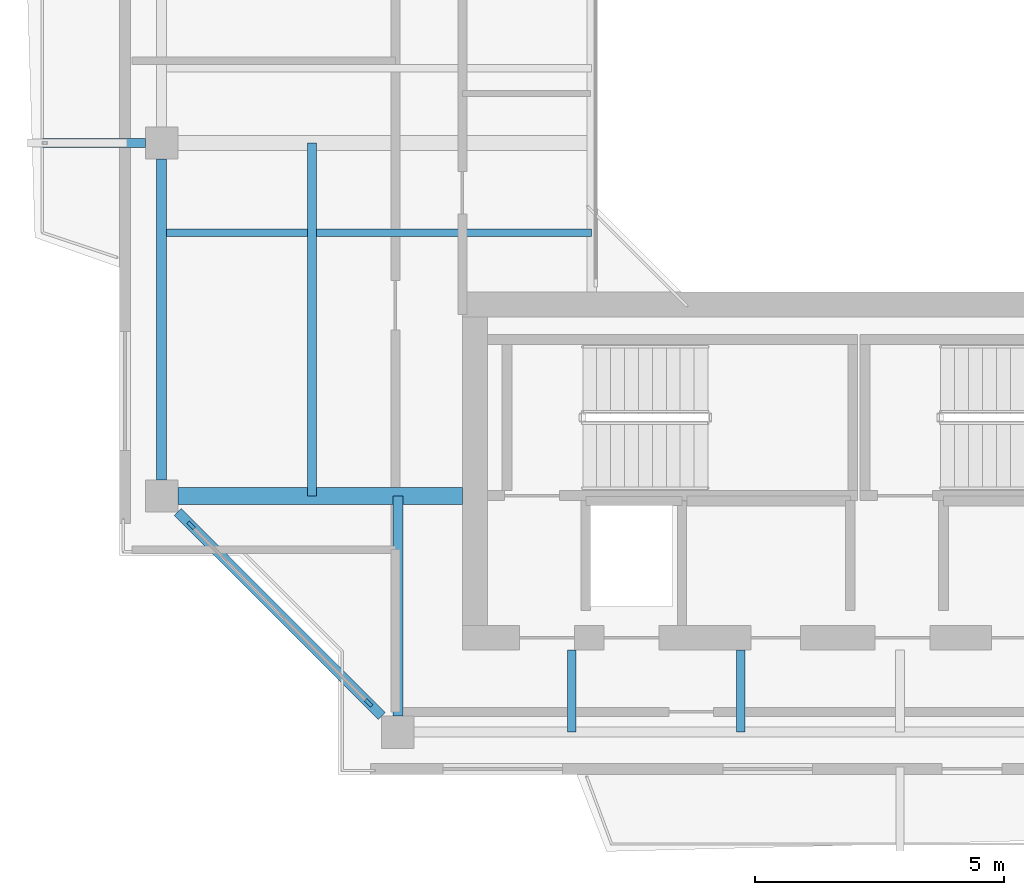
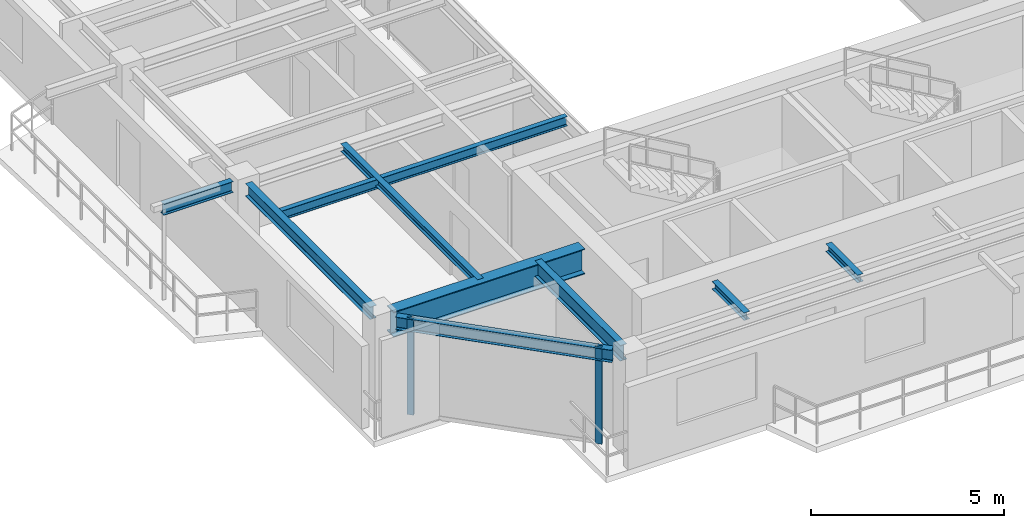
# One storey, part 2 of 14: 9 beams, 2 members, 1 element without a shape of its own.
"""IFC4 building model written with IfcOpenShell, lengths in metres."""

import ifcopenshell
import ifcopenshell.guid

model = None  # the IFC model being written
_history = None  # IfcOwnerHistory: only IFC2X3 demands one
_inside = {}  # id of a spatial element -> (the spatial element, [elements in it])
_under = {}  # id of a project, library or spatial element -> (it, [spatial elements below it])
_declared = {}  # id of a project -> (the project, [libraries it declares])
_typed = {}  # id of a type object -> (the type object, [elements of that type])
_made_of = {}  # id of a material, layer set ... -> (it, [elements and type objects made of it])


def new_model(schema):
    """Start an empty IFC model of exactly this schema.

    Asked for "IFC4X3", IfcOpenShell would pick the latest addendum, in which some entities
    have other attributes; the version numbers below select the first issue.
    IFC2X3 requires an IfcOwnerHistory on every rooted entity: one is made here for all.
    """
    global model, _history
    if schema == "IFC4X3":
        model = ifcopenshell.file(schema_version=(4, 3, 0, 0))
    else:
        model = ifcopenshell.file(schema=schema)
    _inside.clear()
    _under.clear()
    _declared.clear()
    _typed.clear()
    _made_of.clear()
    _history = None
    if model.schema == "IFC2X3":
        org = make("IfcOrganization", Name="unknown")
        user = make(
            "IfcPersonAndOrganization",
            ThePerson=make("IfcPerson", FamilyName="unknown"),
            TheOrganization=org,
        )
        app = make(
            "IfcApplication",
            ApplicationDeveloper=org,
            Version="unknown",
            ApplicationFullName="unknown",
            ApplicationIdentifier="unknown",
        )
        _history = make(
            "IfcOwnerHistory",
            OwningUser=user,
            OwningApplication=app,
            ChangeAction="ADDED",
            CreationDate=0,
        )
    return model


def make(cls, **values):
    """One entity of the class cls with the attributes given. An attribute that is None is left unset."""
    return model.create_entity(
        cls, **{name: value for name, value in values.items() if value is not None}
    )


def rooted(cls, **values):
    """An entity with a GlobalId (a new one), such as an element, a storey or a relation."""
    return make(cls, GlobalId=ifcopenshell.guid.new(), OwnerHistory=_history, **values)


def si_unit(unit_type, name, prefix=None):
    """IfcSIUnit, for example si_unit("LENGTHUNIT", "METRE", prefix="MILLI")."""
    return make("IfcSIUnit", UnitType=unit_type, Prefix=prefix, Name=name)


def assignment(units):
    """IfcUnitAssignment: the units of a project."""
    return None if units is None else make("IfcUnitAssignment", Units=units)


def point(xyz):
    """IfcCartesianPoint."""
    return None if xyz is None else make("IfcCartesianPoint", Coordinates=xyz)


def direction(xyz):
    """IfcDirection."""
    return None if xyz is None else make("IfcDirection", DirectionRatios=xyz)


def frame(location, z_axis=None, x_axis=None):
    """IfcAxis2Placement3D, a coordinate frame: its origin and axes. An axis left out is left unset."""
    return make(
        "IfcAxis2Placement3D",
        Location=point(location),
        Axis=direction(z_axis),
        RefDirection=direction(x_axis),
    )


def frame_2d(location, x_axis=None):
    """IfcAxis2Placement2D, a coordinate frame in the plane: its origin and x axis."""
    return make(
        "IfcAxis2Placement2D", Location=point(location), RefDirection=direction(x_axis)
    )


def origin():
    """The frame at (0, 0, 0) with its axes left unset."""
    return frame((0.0, 0.0, 0.0))


def origin_2d():
    """The frame at (0, 0) in the plane with its x axis left unset."""
    return frame_2d((0.0, 0.0))


def place(relative_to, where):
    """IfcLocalPlacement: puts the frame where relative to a parent placement (None: the world)."""
    return make(
        "IfcLocalPlacement", PlacementRelTo=relative_to, RelativePlacement=where
    )


def context(
    kind, dimensions, precision=None, world=None, true_north=None, identifier=None
):
    """IfcGeometricRepresentationContext, for example the 3D "Model" context."""
    return make(
        "IfcGeometricRepresentationContext",
        ContextIdentifier=identifier,
        ContextType=kind,
        CoordinateSpaceDimension=dimensions,
        Precision=precision,
        WorldCoordinateSystem=world,
        TrueNorth=true_north,
    )


def subcontext(parent, identifier, kind, view, scale=None):
    """IfcGeometricRepresentationSubContext, for example "Body" below "Model"."""
    return make(
        "IfcGeometricRepresentationSubContext",
        ContextIdentifier=identifier,
        ContextType=kind,
        ParentContext=parent,
        TargetScale=scale,
        TargetView=view,
    )


def project(units=None, contexts=None):
    """IfcProject with its units and contexts."""
    return rooted(
        "IfcProject",
        Name="project",
        RepresentationContexts=contexts,
        UnitsInContext=assignment(units),
    )


def spatial(cls, under=None, at=None, **own):
    """A site, building, storey or space (cls), placed at a placement, below another one or the project."""
    s = rooted(cls, ObjectPlacement=at, **own)
    if under is not None:
        _under.setdefault(under.id(), (under, []))[1].append(s)
    return s


def profile(cls, at=None, kind="AREA", **sizes):
    """A parametric profile (cls). Its sizes go by their IFC names, for example OverallWidth=200.0."""
    return make(cls, ProfileType=kind, Position=at, **sizes)


def rectangle(**sizes):
    """IfcRectangleProfileDef."""
    return profile("IfcRectangleProfileDef", **sizes)


def i_section(**sizes):
    """IfcIShapeProfileDef."""
    return profile("IfcIShapeProfileDef", **sizes)


def extrude(swept, where, along, depth):
    """IfcExtrudedAreaSolid: the profile swept, set in the frame where, extruded along a direction by depth."""
    return make(
        "IfcExtrudedAreaSolid",
        SweptArea=swept,
        Position=where,
        ExtrudedDirection=direction(along),
        Depth=depth,
    )


def shape(context_of_items, identifier, shape_type, items):
    """IfcShapeRepresentation: the items that make up one representation, for example the "Body"."""
    return make(
        "IfcShapeRepresentation",
        ContextOfItems=context_of_items,
        RepresentationIdentifier=identifier,
        RepresentationType=shape_type,
        Items=items,
    )


def source(mapping_origin, context_of_items, identifier, shape_type, items):
    """IfcRepresentationMap: a shape defined once, which mapped items show again and again."""
    return make(
        "IfcRepresentationMap",
        MappingOrigin=mapping_origin,
        MappedRepresentation=shape(context_of_items, identifier, shape_type, items),
    )


def transform(
    local_origin,
    x_axis=None,
    y_axis=None,
    z_axis=None,
    scale=None,
    scale2=None,
    scale3=None,
    uniform=True,
):
    """IfcCartesianTransformationOperator3D, or its non-uniform kind. x_axis, y_axis, z_axis: its Axis1, 2, 3."""
    if uniform:
        return make(
            "IfcCartesianTransformationOperator3D",
            Axis1=direction(x_axis),
            Axis2=direction(y_axis),
            LocalOrigin=point(local_origin),
            Scale=scale,
            Axis3=direction(z_axis),
        )
    return make(
        "IfcCartesianTransformationOperator3DnonUniform",
        Axis1=direction(x_axis),
        Axis2=direction(y_axis),
        LocalOrigin=point(local_origin),
        Scale=scale,
        Axis3=direction(z_axis),
        Scale2=scale2,
        Scale3=scale3,
    )


def mapped(mapping_source, mapping_target):
    """IfcMappedItem: shows the shape of a source again, moved by a transform."""
    return make(
        "IfcMappedItem", MappingSource=mapping_source, MappingTarget=mapping_target
    )


def material(Name=None, Category=None):
    """IfcMaterial."""
    return make("IfcMaterial", Name=Name, Category=Category)


def layer(
    of_material, thickness, ventilated=None, Name=None, Category=None, Priority=None
):
    """IfcMaterialLayer: one layer of a wall or slab, of a material (None: an air gap)."""
    return make(
        "IfcMaterialLayer",
        Material=of_material,
        LayerThickness=thickness,
        IsVentilated=ventilated,
        Name=Name,
        Category=Category,
        Priority=Priority,
    )


def layer_set(layers, Name=None):
    """IfcMaterialLayerSet."""
    return make("IfcMaterialLayerSet", MaterialLayers=layers, LayerSetName=Name)


def material_profile(
    of_material, cross_section, Name=None, Category=None, Priority=None
):
    """IfcMaterialProfile: a cross section and its material."""
    return make(
        "IfcMaterialProfile",
        Name=Name,
        Material=of_material,
        Profile=cross_section,
        Priority=Priority,
        Category=Category,
    )


def profile_set(profiles, Name=None, composite=None):
    """IfcMaterialProfileSet."""
    return make(
        "IfcMaterialProfileSet",
        Name=Name,
        MaterialProfiles=profiles,
        CompositeProfile=composite,
    )


def made_of(thing, what):
    """Note that an element or type object is made of a material, layer set ...; save() writes the relation."""
    if what is not None:
        _made_of.setdefault(what.id(), (what, []))[1].append(thing)
    return thing


def type_object(cls, material=None, **own):
    """A type object (cls), such as IfcWallType, which elements share."""
    return made_of(rooted(cls, **own), material)


def element(
    cls,
    number,
    at=None,
    inside=None,
    cuts=None,
    type_object=None,
    material=None,
    context=None,
    identifier="Body",
    shape_type=None,
    held_by="IfcProductDefinitionShape",
    body=None,
    shapes=None,
    **own,
):
    """One element of the class cls, such as IfcWall. Its Tag is "e" and its number.

    at: its placement. inside: the storey or other place that contains it. cuts: it is an
    opening in that element (IfcRelVoidsElement). A single representation is given by context,
    identifier, shape_type and body (its items); several are given by shapes. held_by: the class
    of the entity that holds the representations. save() writes the other relations.
    """
    e = rooted(cls, Tag="e%d" % number, ObjectPlacement=at, **own)
    if body is not None:
        shapes = [shape(context, identifier, shape_type, body)]
    if shapes is not None:
        e.Representation = make(held_by, Representations=shapes)
    if inside is not None:
        _inside.setdefault(inside.id(), (inside, []))[1].append(e)
    if cuts is not None:
        rooted(
            "IfcRelVoidsElement", RelatingBuildingElement=cuts, RelatedOpeningElement=e
        )
    if type_object is not None:
        _typed.setdefault(type_object.id(), (type_object, []))[1].append(e)
    return made_of(e, material)


def aggregate(whole, parts):
    """IfcRelAggregates: a whole, such as a stair, and the parts it consists of."""
    return rooted("IfcRelAggregates", RelatingObject=whole, RelatedObjects=parts)


def save(model, path):
    """Write the relations noted so far, then the file.

    IfcRelAggregates (storeys below a building ...), IfcRelContainedInSpatialStructure (elements
    in a storey), IfcRelDefinesByType, IfcRelAssociatesMaterial and IfcRelDeclares: one each for
    every whole, place, type object, material and project.
    """
    for whole, parts in _under.values():
        aggregate(whole, parts)
    for where, things in _inside.values():
        rooted(
            "IfcRelContainedInSpatialStructure",
            RelatedElements=things,
            RelatingStructure=where,
        )
    for kind, things in _typed.values():
        rooted("IfcRelDefinesByType", RelatedObjects=things, RelatingType=kind)
    for what, things in _made_of.values():
        rooted("IfcRelAssociatesMaterial", RelatedObjects=things, RelatingMaterial=what)
    for by, libraries in _declared.values():
        rooted("IfcRelDeclares", RelatingContext=by, RelatedDefinitions=libraries)
    model.write(path)


model = new_model("IFC4")

# Units and contexts
model_context = context("Model", 3, precision=1e-05, world=origin(), true_north=direction((0.0, 1.0)))
body_context = subcontext(model_context, "Body", "Model", "MODEL_VIEW")
ifc_project = project(units=[si_unit("LENGTHUNIT", "METRE"), si_unit("AREAUNIT", "SQUARE_METRE"), si_unit("VOLUMEUNIT", "CUBIC_METRE"), si_unit("PLANEANGLEUNIT", "RADIAN"), si_unit("MASSUNIT", "GRAM", prefix="KILO"), si_unit("THERMODYNAMICTEMPERATUREUNIT", "KELVIN"), si_unit("POWERUNIT", "WATT")], contexts=[model_context])

# Site, building, storey
site_placement = place(None, origin())
site = spatial("IfcSite", under=ifc_project, at=site_placement, CompositionType="ELEMENT")
building_placement = place(site_placement, origin())
building = spatial("IfcBuilding", under=site, at=building_placement, Name="Qiaomeng Ring Towers", CompositionType="ELEMENT")
storey_placement = place(building_placement, frame((0.0, 0.0, 240.5)))
storey = spatial("IfcBuildingStorey", under=building, at=storey_placement, Name="L70", CompositionType="ELEMENT", Elevation=240.5)

# Beams
ifc_material_1 = material(Name="Steel Q355B", Category="steel")
ifc_material_profile_1 = material_profile(ifc_material_1, i_section(OverallWidth=0.198974609375, OverallDepth=0.39599609375, WebThickness=0.007080078125, FlangeThickness=0.010986328125, FilletRadius=0.01611328125, at=origin_2d()), Name="HN 396x199x7x11")
ifc_profile_set_1 = profile_set([ifc_material_profile_1], Name="Steel Q355B")
beam_type_1 = type_object("IfcBeamType", Name="STR-BM-HN396", PredefinedType="SPANDREL", material=ifc_profile_set_1)
shared_shape_1 = source(origin(), body_context, "Body", "SweptSolid", [
    extrude(i_section(OverallWidth=0.198974609375, OverallDepth=0.39599609375, WebThickness=0.007080078125, FlangeThickness=0.010986328125, FilletRadius=0.01611328125, at=origin_2d()), origin(), (0.0, 0.0, 1.0), 5.800048828125),
])
beam_1_placement = place(storey_placement, frame((4.474365234375, 12.57568359375, 2.8720703125), z_axis=(0.707106781187, -0.707106781187, 0.0), x_axis=(0.707106781187, 0.707106781187, 0.0)))
element("IfcBeam", 1, at=beam_1_placement, inside=storey, type_object=beam_type_1, Name="L70 beam STR-SP-L70-T1-W1-S1", PredefinedType="SPANDREL", context=body_context, shape_type="MappedRepresentation", body=[
    mapped(shared_shape_1, transform((0.0, 0.0, 0.0), x_axis=(1.0, 0.0, 0.0), y_axis=(0.0, 1.0, 0.0), z_axis=(0.0, 0.0, 1.0), scale=1.0)),
])
shared_shape_2 = source(origin(), body_context, "Body", "SweptSolid", [
    extrude(i_section(OverallWidth=0.198974609375, OverallDepth=0.39599609375, WebThickness=0.007080078125, FlangeThickness=0.010986328125, FilletRadius=0.01611328125, at=origin_2d()), origin(), (0.0, 0.0, 1.0), 6.451904296875),
])
beam_2_placement = place(storey_placement, frame((4.14990234375, 19.676025390625, 2.8720703125), z_axis=(0.0, -1.0, 0.0), x_axis=(1.0, 0.0, 0.0)))
element("IfcBeam", 2, at=beam_2_placement, inside=storey, type_object=beam_type_1, Name="L70 beam STR-SP-L70-T1-W2-W1", PredefinedType="SPANDREL", context=body_context, shape_type="MappedRepresentation", body=[
    mapped(shared_shape_2, transform((0.0, 0.0, 0.0), x_axis=(1.0, 0.0, 0.0), y_axis=(0.0, 1.0, 0.0), z_axis=(0.0, 0.0, 1.0), scale=1.0)),
])
ifc_material_2 = material(Name="Steel Q390GJC", Category="steel")
ifc_material_profile_2 = material_profile(ifc_material_2, i_section(OverallWidth=0.35009765625, OverallDepth=0.800048828125, WebThickness=0.01611328125, FlangeThickness=0.028076171875, at=origin_2d()), Name="WH 800x350x16x28")
ifc_profile_set_2 = profile_set([ifc_material_profile_2], Name="Steel Q390GJC")
beam_type_2 = type_object("IfcBeamType", Name="STR-BM-WH800", PredefinedType="BEAM", material=ifc_profile_set_2)
shared_shape_3 = source(origin(), body_context, "Body", "SweptSolid", [
    extrude(i_section(OverallWidth=0.35009765625, OverallDepth=0.800048828125, WebThickness=0.01611328125, FlangeThickness=0.028076171875, at=origin_2d()), origin(), (0.0, 0.0, 1.0), 5.725830078125),
])
beam_3_placement = place(storey_placement, frame((4.47412109375, 12.89990234375, 2.669921875), z_axis=(1.0, 0.0, 0.0), x_axis=(0.0, 1.0, 0.0)))
element("IfcBeam", 3, at=beam_3_placement, inside=storey, type_object=beam_type_2, Name="L70 beam STR-BM-L70-T1-RAD-W1", PredefinedType="BEAM", context=body_context, shape_type="MappedRepresentation", body=[
    mapped(shared_shape_3, transform((0.0, 0.0, 0.0), x_axis=(1.0, 0.0, 0.0), y_axis=(0.0, 1.0, 0.0), z_axis=(0.0, 0.0, 1.0), scale=1.0)),
])
ifc_material_profile_3 = material_profile(ifc_material_1, i_section(OverallWidth=0.198974609375, OverallDepth=0.49609375, WebThickness=0.009033203125, FlangeThickness=0.013916015625, FilletRadius=0.01806640625, at=origin_2d()), Name="HN 496x199x9x14")
ifc_profile_set_3 = profile_set([ifc_material_profile_3], Name="Steel Q355B")
beam_type_3 = type_object("IfcBeamType", Name="STR-BM-HN496", PredefinedType="BEAM", material=ifc_profile_set_3)
shared_shape_4 = source(origin(), body_context, "Body", "SweptSolid", [
    extrude(i_section(OverallWidth=0.198974609375, OverallDepth=0.49609375, WebThickness=0.009033203125, FlangeThickness=0.013916015625, FilletRadius=0.01806640625, at=origin_2d()), origin(), (0.0, 0.0, 1.0), 4.42578125),
])
beam_4_placement = place(storey_placement, frame((8.89990234375, 8.47412109375, 2.822021484375), z_axis=(0.0, 1.0, 0.0), x_axis=(-1.0, 0.0, 0.0)))
element("IfcBeam", 4, at=beam_4_placement, inside=storey, type_object=beam_type_3, Name="L70 beam STR-BM-L70-T1-RAD-S1", PredefinedType="BEAM", context=body_context, shape_type="MappedRepresentation", body=[
    mapped(shared_shape_4, transform((0.0, 0.0, 0.0), x_axis=(1.0, 0.0, 0.0), y_axis=(0.0, 1.0, 0.0), z_axis=(0.0, 0.0, 1.0), scale=1.0)),
])
ifc_material_profile_4 = material_profile(ifc_material_1, i_section(OverallWidth=0.175048828125, OverallDepth=0.35009765625, WebThickness=0.007080078125, FlangeThickness=0.010986328125, FilletRadius=0.013916015625, at=origin_2d()), Name="HN 350x175x7x11")
ifc_profile_set_4 = profile_set([ifc_material_profile_4], Name="Steel Q355B")
beam_type_4 = type_object("IfcBeamType", Name="STR-BM-HN350", PredefinedType="JOIST", material=ifc_profile_set_4)
shared_shape_5 = source(origin(), body_context, "Body", "SweptSolid", [
    extrude(i_section(OverallWidth=0.175048828125, OverallDepth=0.35009765625, WebThickness=0.007080078125, FlangeThickness=0.010986328125, FilletRadius=0.013916015625, at=origin_2d()), origin(), (0.0, 0.0, 1.0), 2.075927734375),
])
beam_5_placement = place(storey_placement, frame((1.75, 20.0, 2.89501953125), z_axis=(1.0, 0.0, 0.0), x_axis=(0.0, 1.0, 0.0)))
element("IfcBeam", 5, at=beam_5_placement, inside=storey, type_object=beam_type_4, Name="L70 beam STR-BALBM-L70-W2", PredefinedType="JOIST", context=body_context, shape_type="MappedRepresentation", body=[
    mapped(shared_shape_5, transform((0.0, 0.0, 0.0), x_axis=(1.0, 0.0, 0.0), y_axis=(0.0, 1.0, 0.0), z_axis=(0.0, 0.0, 1.0), scale=1.0)),
])
ifc_material_profile_5 = material_profile(ifc_material_1, i_section(OverallWidth=0.175048828125, OverallDepth=0.243896484375, WebThickness=0.007080078125, FlangeThickness=0.010986328125, FilletRadius=0.01611328125, at=origin_2d()), Name="HM 244x175x7x11")
ifc_profile_set_5 = profile_set([ifc_material_profile_5], Name="Steel Q355B")
beam_type_5 = type_object("IfcBeamType", Name="STR-BM-HM244", PredefinedType="JOIST", material=ifc_profile_set_5)
shared_shape_6 = source(origin(), body_context, "Body", "SweptSolid", [
    extrude(i_section(OverallWidth=0.175048828125, OverallDepth=0.243896484375, WebThickness=0.007080078125, FlangeThickness=0.010986328125, FilletRadius=0.01611328125, at=origin_2d()), origin(), (0.0, 0.0, 1.0), 1.650146484375),
])
for number, where, z_axis, x_axis, name in (
    (6, (12.39990234375, 8.14990234375, 2.947998046875), (0.0, 1.0, 0.0), (-1.0, 0.0, 0.0), "L70 beam STR-JST-L70-T1S-1"),
    (7, (15.800048828125, 8.14990234375, 2.947998046875), (0.0, 1.0, 0.0), (-1.0, 0.0, 0.0), "L70 beam STR-JST-L70-T1S-2"),
):
    element("IfcBeam", number, at=place(storey_placement, frame(where, z_axis=z_axis, x_axis=x_axis)), inside=storey, type_object=beam_type_5, Name=name, PredefinedType="JOIST", context=body_context, shape_type="MappedRepresentation", body=[
        mapped(shared_shape_6, transform((0.0, 0.0, 0.0), x_axis=(1.0, 0.0, 0.0), y_axis=(0.0, 1.0, 0.0), z_axis=(0.0, 0.0, 1.0), scale=1.0)),
    ])
ifc_material_profile_6 = material_profile(ifc_material_1, i_section(OverallWidth=0.14990234375, OverallDepth=0.300048828125, WebThickness=0.006591796875, FlangeThickness=0.009033203125, FilletRadius=0.012939453125, at=origin_2d()), Name="HN 300x150x6.5x9")
ifc_profile_set_6 = profile_set([ifc_material_profile_6], Name="Steel Q355B")
beam_type_6 = type_object("IfcBeamType", Name="STR-BM-HN300", PredefinedType="JOIST", material=ifc_profile_set_6)
shared_shape_7 = source(origin(), body_context, "Body", "SweptSolid", [
    extrude(i_section(OverallWidth=0.14990234375, OverallDepth=0.300048828125, WebThickness=0.006591796875, FlangeThickness=0.009033203125, FilletRadius=0.012939453125, at=origin_2d()), origin(), (0.0, 0.0, 1.0), 8.650146484375),
])
beam_6_placement = place(storey_placement, frame((4.14990234375, 18.199951171875, 2.919921875), z_axis=(1.0, 0.0, 0.0), x_axis=(0.0, 1.0, 0.0)))
element("IfcBeam", 8, at=beam_6_placement, inside=storey, type_object=beam_type_6, Name="L70 beam STR-JST-L70-T1W-1", PredefinedType="JOIST", context=body_context, shape_type="MappedRepresentation", body=[
    mapped(shared_shape_7, transform((0.0, 0.0, 0.0), x_axis=(1.0, 0.0, 0.0), y_axis=(0.0, 1.0, 0.0), z_axis=(0.0, 0.0, 1.0), scale=1.0)),
])
shared_shape_8 = source(origin(), body_context, "Body", "SweptSolid", [
    extrude(i_section(OverallWidth=0.175048828125, OverallDepth=0.243896484375, WebThickness=0.007080078125, FlangeThickness=0.010986328125, FilletRadius=0.01611328125, at=origin_2d()), origin(), (0.0, 0.0, 1.0), 7.10009765625),
])
beam_7_placement = place(storey_placement, frame((7.175048828125, 12.89990234375, 2.947998046875), z_axis=(0.0, 1.0, 0.0), x_axis=(-1.0, 0.0, 0.0)))
element("IfcBeam", 9, at=beam_7_placement, inside=storey, type_object=beam_type_5, Name="L70 beam STR-JST-L70-T1C-WS", PredefinedType="JOIST", context=body_context, shape_type="MappedRepresentation", body=[
    mapped(shared_shape_8, transform((0.0, 0.0, 0.0), x_axis=(1.0, 0.0, 0.0), y_axis=(0.0, 1.0, 0.0), z_axis=(0.0, 0.0, 1.0), scale=1.0)),
])

# Curtain wall, members
ifc_material_3 = material(Name="Fluorocarbon dark-grey aluminium", Category="aluminium")
ifc_layer = layer(ifc_material_3, 0.14990234375, Name="Fluorocarbon dark-grey aluminium")
ifc_layer_set = layer_set([ifc_layer], Name="Fluorocarbon dark-grey aluminium")
curtain_wall_type = type_object("IfcCurtainWallType", Name="ARC-CW-3", PredefinedType="NOTDEFINED", material=ifc_layer_set)
curtain_wall_placement = place(storey_placement, origin())
curtain_wall = element("IfcCurtainWall", 10, at=curtain_wall_placement, inside=storey, type_object=curtain_wall_type, Name="L70 Curtain Wall CW3", PredefinedType="NOTDEFINED")
ifc_material_profile_7 = material_profile(ifc_material_3, rectangle(XDim=0.070068359375, YDim=0.179931640625, at=origin_2d()), Name="ALU MULL 70x180")
ifc_profile_set_7 = profile_set([ifc_material_profile_7], Name="Fluorocarbon dark-grey aluminium")
member_type = type_object("IfcMemberType", Name="ARC-CWM-160", PredefinedType="MULLION", material=ifc_profile_set_7)
shared_shape_9 = source(origin(), body_context, "Body", "SweptSolid", [
    extrude(rectangle(XDim=0.070068359375, YDim=0.179931640625, at=origin_2d()), origin(), (0.0, 0.0, 1.0), 3.070068359375),
])
member_1_placement = place(storey_placement, frame((4.73974609375, 12.310302734375, 0.0), z_axis=(0.0, 0.0, 1.0), x_axis=(0.707106781187, 0.707106781187, 0.0)))
member_1 = element("IfcMember", 11, at=member_1_placement, type_object=member_type, Name="CW3 mullion 1", PredefinedType="MULLION", context=body_context, shape_type="MappedRepresentation", body=[
    mapped(shared_shape_9, transform((0.0, 0.0, 0.0), x_axis=(1.0, 0.0, 0.0), y_axis=(0.0, 1.0, 0.0), z_axis=(0.0, 0.0, 1.0), scale=1.0)),
])
member_2_placement = place(storey_placement, frame((8.310302734375, 8.73974609375, 0.0), z_axis=(0.0, 0.0, 1.0), x_axis=(0.707106781187, 0.707106781187, 0.0)))
member_2 = element("IfcMember", 12, at=member_2_placement, type_object=member_type, Name="CW3 mullion 2", PredefinedType="MULLION", context=body_context, shape_type="MappedRepresentation", body=[
    mapped(shared_shape_9, transform((0.0, 0.0, 0.0), x_axis=(1.0, 0.0, 0.0), y_axis=(0.0, 1.0, 0.0), z_axis=(0.0, 0.0, 1.0), scale=1.0)),
])
aggregate(curtain_wall, [member_1, member_2])

save(model, "model.ifc")
